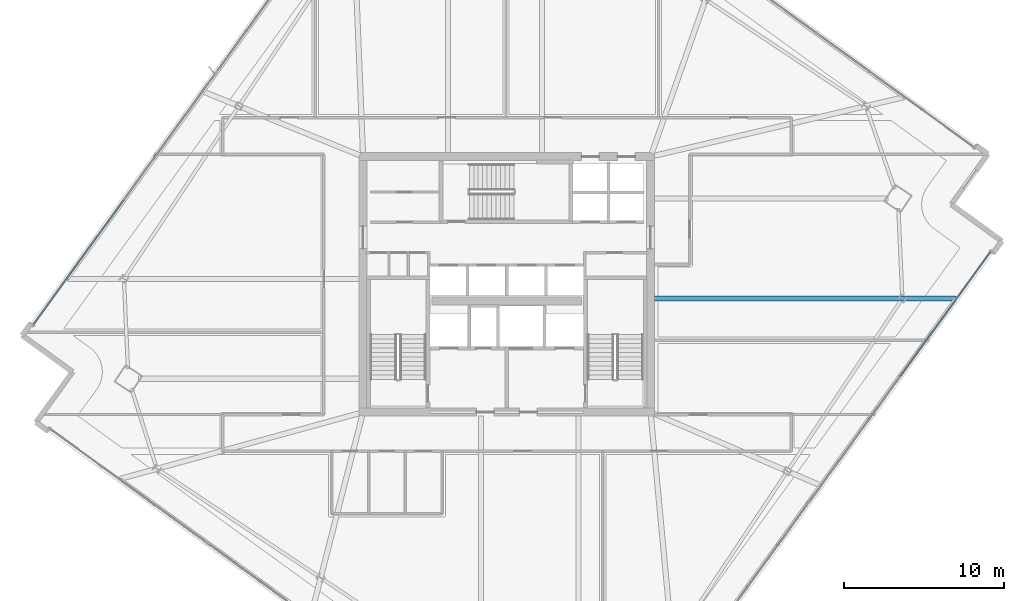
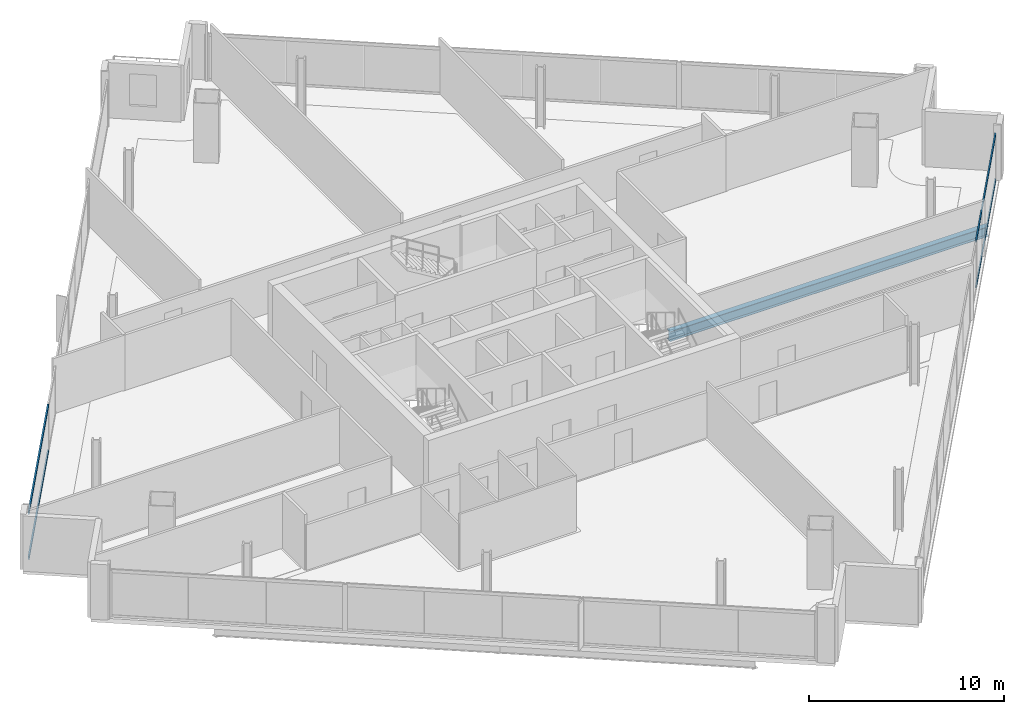
# One storey, part 12 of 29: 4 members, 1 beam, 2 elements without a shape of their own.
"""IFC4 building model written with IfcOpenShell, lengths in metres."""

from ifc_helpers import new_model, si_unit, direction, frame, origin, origin_2d, place, context, subcontext, project, spatial, hollow_rectangle, i_section, extrude, material, material_profile, profile_set, type_object, element, aggregate, save


model = new_model("IFC4")

# Units and contexts
model_context = context("Model", 3, precision=1e-05, world=origin(), true_north=direction((0.0, 1.0)))
body_context = subcontext(model_context, "Body", "Model", "MODEL_VIEW")
ifc_project = project(units=[si_unit("LENGTHUNIT", "METRE"), si_unit("AREAUNIT", "SQUARE_METRE"), si_unit("VOLUMEUNIT", "CUBIC_METRE"), si_unit("PLANEANGLEUNIT", "RADIAN"), si_unit("MASSUNIT", "GRAM", prefix="KILO")], contexts=[model_context])

# Site, building, storey
site_placement = place(None, origin())
site = spatial("IfcSite", under=ifc_project, at=site_placement, CompositionType="ELEMENT")
building_placement = place(site_placement, origin())
building = spatial("IfcBuilding", under=site, at=building_placement, Name="Haldenkirk Collegiate Tower", CompositionType="ELEMENT")
storey_placement = place(building_placement, frame((0.0, 0.0, 209.699951171875)))
storey = spatial("IfcBuildingStorey", under=building, at=storey_placement, Name="L52", CompositionType="ELEMENT", Elevation=209.699951171875)

# Beam
ifc_material_1 = material(Name="Steel ASTM A992 Grade 50", Category="steel")
ifc_material_profile_1 = material_profile(ifc_material_1, i_section(OverallWidth=0.324951171875, OverallDepth=0.615966796875, WebThickness=0.013916015625, FlangeThickness=0.021484375, at=origin_2d()), Name="W24X117")
ifc_profile_set_1 = profile_set([ifc_material_profile_1], Name="Steel ASTM A992 Grade 50")
beam_type = type_object("IfcBeamType", Name="BM-GIRDER-W24X117", PredefinedType="BEAM", material=ifc_profile_set_1)
beam_placement = place(storey_placement, frame((64.1240234375, 25.12646484375, -0.587890625), z_axis=(-1.0, 0.0, 0.0), x_axis=(0.0, -1.0, 0.0)))
element("IfcBeam", 1, at=beam_placement, inside=storey, type_object=beam_type, Name="L52 primary floor girder 07", PredefinedType="BEAM", context=body_context, shape_type="SweptSolid", body=[
    extrude(i_section(OverallWidth=0.324951171875, OverallDepth=0.615966796875, WebThickness=0.013916015625, FlangeThickness=0.021484375, at=origin_2d()), origin(), (0.0, 0.0, 1.0), 18.89404296875),
])

# Curtain wall, members
ifc_material_2 = material(Name="Anodised architectural bronze aluminium", Category="aluminium")
curtain_wall_type_1 = type_object("IfcCurtainWallType", Name="CW-SYS2-CONCAVE", PredefinedType="USERDEFINED", material=ifc_material_2)
curtain_wall_1_placement = place(storey_placement, origin())
curtain_wall_1 = element("IfcCurtainWall", 2, at=curtain_wall_1_placement, inside=storey, type_object=curtain_wall_type_1, Name="L52 South concave recessed bronze-anodised curtain wall", ObjectType="UNITISED CURTAIN WALL", PredefinedType="USERDEFINED")
ifc_material_profile_2 = material_profile(ifc_material_2, hollow_rectangle(XDim=0.074951171875, YDim=0.159912109375, WallThickness=0.0048828125, at=origin_2d()), Name="CW-TRN-02")
ifc_profile_set_2 = profile_set([ifc_material_profile_2], Name="Anodised architectural bronze aluminium")
member_type_1 = type_object("IfcMemberType", Name="CW-TRN-02", PredefinedType="USERDEFINED", material=ifc_profile_set_2)
member_1_placement = place(storey_placement, frame((66.2822265625, 28.034423828125, 0.03759765625), z_axis=(-0.587082138091, -0.809527370219, 0.0), x_axis=(0.809527370219, -0.587082138091, 0.0)))
member_1 = element("IfcMember", 3, at=member_1_placement, type_object=member_type_1, Name="CW-02 transom 1.1", ObjectType="TRANSOM", PredefinedType="USERDEFINED", context=body_context, shape_type="SweptSolid", body=[
    extrude(hollow_rectangle(XDim=0.074951171875, YDim=0.159912109375, WallThickness=0.0048828125, at=origin_2d()), origin(), (0.0, 0.0, 1.0), 9.637451171875),
])
member_2_placement = place(storey_placement, frame((66.2822265625, 28.034423828125, 2.890625), z_axis=(-0.587082138091, -0.809527370219, 0.0), x_axis=(0.809527370219, -0.587082138091, 0.0)))
member_2 = element("IfcMember", 4, at=member_2_placement, type_object=member_type_1, Name="CW-02 transom 1.2", ObjectType="TRANSOM", PredefinedType="USERDEFINED", context=body_context, shape_type="SweptSolid", body=[
    extrude(hollow_rectangle(XDim=0.074951171875, YDim=0.159912109375, WallThickness=0.0048828125, at=origin_2d()), origin(), (0.0, 0.0, 1.0), 9.637451171875),
])
aggregate(curtain_wall_1, [member_1, member_2])

curtain_wall_type_2 = type_object("IfcCurtainWallType", Name="CW-SYS1B-CONVEX-HI", PredefinedType="USERDEFINED", material=ifc_material_2)
curtain_wall_2_placement = place(storey_placement, origin())
curtain_wall_2 = element("IfcCurtainWall", 5, at=curtain_wall_2_placement, inside=storey, type_object=curtain_wall_type_2, Name="L52 Upper tower high-wind convex bronze unitised curtain wall", ObjectType="UNITISED CURTAIN WALL", PredefinedType="USERDEFINED")
ifc_material_profile_3 = material_profile(ifc_material_2, hollow_rectangle(XDim=0.0849609375, YDim=0.199951171875, WallThickness=0.0048828125, at=origin_2d()), Name="CW-TRN-1B")
ifc_profile_set_3 = profile_set([ifc_material_profile_3], Name="Anodised architectural bronze aluminium")
member_type_2 = type_object("IfcMemberType", Name="CW-TRN-1B", PredefinedType="USERDEFINED", material=ifc_profile_set_3)
member_3_placement = place(storey_placement, frame((6.371337890625, 23.50390625, 0.04248046875), z_axis=(0.587074416196, 0.809532970205, 0.0), x_axis=(-0.809532970205, 0.587074416196, 0.0)))
member_3 = element("IfcMember", 6, at=member_3_placement, type_object=member_type_2, Name="CW-1B transom 1.1", ObjectType="TRANSOM", PredefinedType="USERDEFINED", context=body_context, shape_type="SweptSolid", body=[
    extrude(hollow_rectangle(XDim=0.0849609375, YDim=0.199951171875, WallThickness=0.0048828125, at=origin_2d()), origin(), (0.0, 0.0, 1.0), 9.62255859375),
])
member_4_placement = place(storey_placement, frame((6.371337890625, 23.50390625, 2.885498046875), z_axis=(0.587074416196, 0.809532970205, 0.0), x_axis=(-0.809532970205, 0.587074416196, 0.0)))
member_4 = element("IfcMember", 7, at=member_4_placement, type_object=member_type_2, Name="CW-1B transom 1.2", ObjectType="TRANSOM", PredefinedType="USERDEFINED", context=body_context, shape_type="SweptSolid", body=[
    extrude(hollow_rectangle(XDim=0.0849609375, YDim=0.199951171875, WallThickness=0.0048828125, at=origin_2d()), origin(), (0.0, 0.0, 1.0), 9.62255859375),
])
aggregate(curtain_wall_2, [member_3, member_4])

save(model, "model.ifc")
